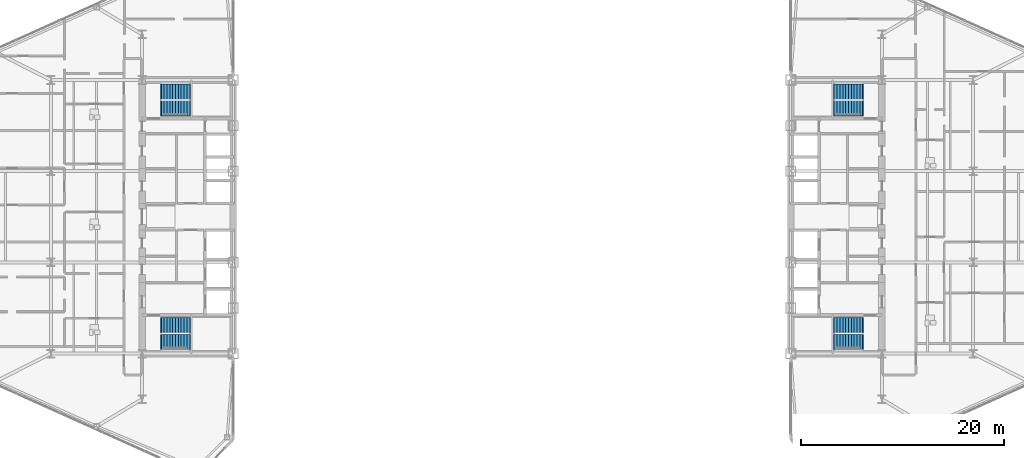
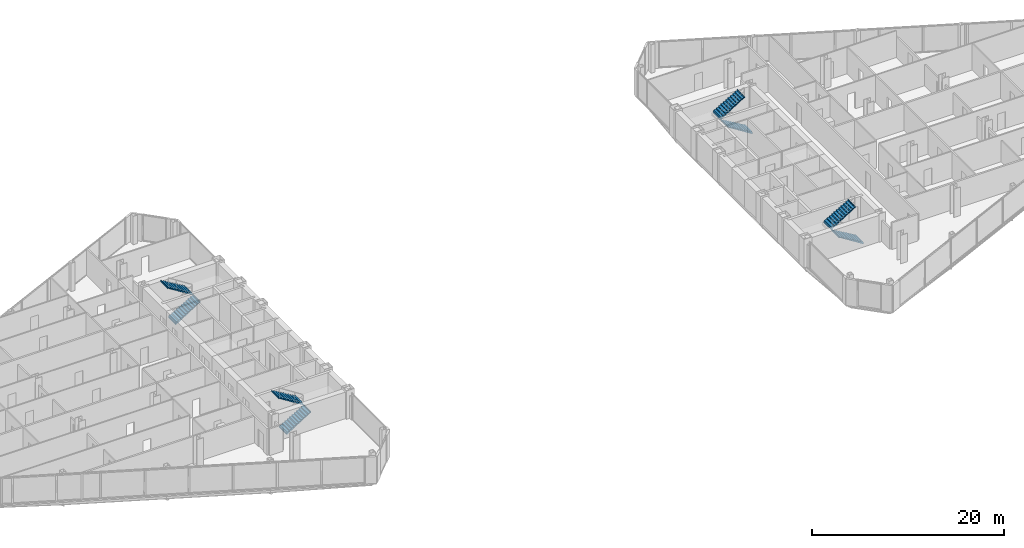
# One storey, part 25 of 27: 8 stair flights, 4 elements without a shape of their own.
"""IFC4 building model written with IfcOpenShell, lengths in metres."""

from ifc_helpers import new_model, si_unit, direction, frame, origin, place, context, subcontext, project, spatial, polyline, outline, extrude, material, type_object, element, aggregate, save


model = new_model("IFC4")

# Units and contexts
model_context = context("Model", 3, precision=1e-05, world=origin(), true_north=direction((0.0, 1.0)))
body_context = subcontext(model_context, "Body", "Model", "MODEL_VIEW")
ifc_project = project(units=[si_unit("LENGTHUNIT", "METRE"), si_unit("AREAUNIT", "SQUARE_METRE"), si_unit("VOLUMEUNIT", "CUBIC_METRE"), si_unit("PLANEANGLEUNIT", "RADIAN"), si_unit("MASSUNIT", "GRAM", prefix="KILO")], contexts=[model_context])

# Site, building, storey
site_placement = place(None, origin())
site = spatial("IfcSite", under=ifc_project, at=site_placement, CompositionType="ELEMENT")
building_placement = place(site_placement, origin())
building = spatial("IfcBuilding", under=site, at=building_placement, Name="Seokmaru Belvedere", CompositionType="ELEMENT")
storey_placement = place(building_placement, frame((0.0, 0.0, 96.0)))
storey = spatial("IfcBuildingStorey", under=building, at=storey_placement, Name="L25", CompositionType="ELEMENT", Elevation=96.0)

# Stair, stair flights
ifc_material = material(Name="Concrete C40 (40 MPa)", Category="concrete")
stair_type = type_object("IfcStairType", Name="Typical Tower Core Dog-Leg Stair 3600", PredefinedType="TWO_STRAIGHT_RUN_STAIR", material=ifc_material)
stair_1_placement = place(storey_placement, origin())
stair_1 = element("IfcStair", 1, at=stair_1_placement, inside=storey, type_object=stair_type, Name="L25 Special Escape Stair ST-W1", PredefinedType="TWO_STRAIGHT_RUN_STAIR")
stair_flight_type = type_object("IfcStairFlightType", Name="Reinforced Concrete Stair Flight 1500", PredefinedType="STRAIGHT", material=ifc_material)
stair_flight_1_placement = place(storey_placement, frame((-34.60009765625, -12.35009765625, 0.0), z_axis=(0.0, 0.0, 1.0), x_axis=(1.0, 0.0, 0.0)))
stair_flight_1 = element("IfcStairFlight", 2, at=stair_flight_1_placement, type_object=stair_flight_type, Name="ST-W1 flight 1", NumberOfRisers=11, NumberOfTreads=10, PredefinedType="STRAIGHT", RiserHeight=0.163636364, TreadLength=0.28, context=body_context, shape_type="SweptSolid", body=[
    extrude(outline(polyline([(-0.080078125, 0.0), (0.0, 0.16357421875), (0.280029296875, 0.16357421875), (0.280029296875, 0.327392578125), (0.56005859375, 0.327392578125), (0.56005859375, 0.490966796875), (0.840087890625, 0.490966796875), (0.840087890625, 0.654541015625), (1.1201171875, 0.654541015625), (1.1201171875, 0.818115234375), (1.39990234375, 0.818115234375), (1.39990234375, 0.98193359375), (1.679931640625, 0.98193359375), (1.679931640625, 1.1455078125), (1.9599609375, 1.1455078125), (1.9599609375, 1.30908203125), (2.239990234375, 1.30908203125), (2.239990234375, 1.47265625), (2.52001953125, 1.47265625), (2.52001953125, 1.636474609375), (2.800048828125, 1.636474609375), (2.800048828125, 1.800048828125), (2.8798828125, 1.800048828125), (2.8798828125, 1.610107421875), (2.800048828125, 1.610107421875), (0.0, -0.159912109375), (-0.080078125, -0.159912109375), (-0.080078125, 0.0)])), frame((0.0, 0.75, 0.0), z_axis=(0.0, -1.0, 0.0), x_axis=(1.0, 0.0, 0.0)), (0.0, 0.0, 1.0), 1.5),
])
stair_flight_2_placement = place(storey_placement, frame((-31.800048828125, -10.7099609375, 1.800048828125), z_axis=(0.0, 0.0, 1.0), x_axis=(-1.0, 0.0, 0.0)))
stair_flight_2 = element("IfcStairFlight", 3, at=stair_flight_2_placement, type_object=stair_flight_type, Name="ST-W1 flight 2", NumberOfRisers=11, NumberOfTreads=10, PredefinedType="STRAIGHT", RiserHeight=0.163636364, TreadLength=0.28, context=body_context, shape_type="SweptSolid", body=[
    extrude(outline(polyline([(-0.080078125, 0.0), (0.0, 0.16357421875), (0.280029296875, 0.16357421875), (0.280029296875, 0.327392578125), (0.56005859375, 0.327392578125), (0.56005859375, 0.490966796875), (0.840087890625, 0.490966796875), (0.840087890625, 0.654541015625), (1.1201171875, 0.654541015625), (1.1201171875, 0.818115234375), (1.39990234375, 0.818115234375), (1.39990234375, 0.98193359375), (1.679931640625, 0.98193359375), (1.679931640625, 1.1455078125), (1.9599609375, 1.1455078125), (1.9599609375, 1.30908203125), (2.239990234375, 1.30908203125), (2.239990234375, 1.47265625), (2.52001953125, 1.47265625), (2.52001953125, 1.636474609375), (2.800048828125, 1.636474609375), (2.800048828125, 1.800048828125), (2.8798828125, 1.800048828125), (2.8798828125, 1.610107421875), (2.800048828125, 1.610107421875), (0.0, -0.159912109375), (-0.080078125, -0.159912109375), (-0.080078125, 0.0)])), frame((0.0, 0.75, 0.0), z_axis=(0.0, -1.0, 0.0), x_axis=(1.0, 0.0, 0.0)), (0.0, 0.0, 1.0), 1.5),
])
aggregate(stair_1, [stair_flight_1, stair_flight_2])

stair_2_placement = place(storey_placement, origin())
stair_2 = element("IfcStair", 4, at=stair_2_placement, inside=storey, type_object=stair_type, Name="L25 Special Escape Stair ST-W2", PredefinedType="TWO_STRAIGHT_RUN_STAIR")
stair_flight_3_placement = place(storey_placement, frame((-34.60009765625, 10.7099609375, 0.0), z_axis=(0.0, 0.0, 1.0), x_axis=(1.0, 0.0, 0.0)))
stair_flight_3 = element("IfcStairFlight", 5, at=stair_flight_3_placement, type_object=stair_flight_type, Name="ST-W2 flight 1", NumberOfRisers=11, NumberOfTreads=10, PredefinedType="STRAIGHT", RiserHeight=0.163636364, TreadLength=0.28, context=body_context, shape_type="SweptSolid", body=[
    extrude(outline(polyline([(-0.080078125, 0.0), (0.0, 0.16357421875), (0.280029296875, 0.16357421875), (0.280029296875, 0.327392578125), (0.56005859375, 0.327392578125), (0.56005859375, 0.490966796875), (0.840087890625, 0.490966796875), (0.840087890625, 0.654541015625), (1.1201171875, 0.654541015625), (1.1201171875, 0.818115234375), (1.39990234375, 0.818115234375), (1.39990234375, 0.98193359375), (1.679931640625, 0.98193359375), (1.679931640625, 1.1455078125), (1.9599609375, 1.1455078125), (1.9599609375, 1.30908203125), (2.239990234375, 1.30908203125), (2.239990234375, 1.47265625), (2.52001953125, 1.47265625), (2.52001953125, 1.636474609375), (2.800048828125, 1.636474609375), (2.800048828125, 1.800048828125), (2.8798828125, 1.800048828125), (2.8798828125, 1.610107421875), (2.800048828125, 1.610107421875), (0.0, -0.159912109375), (-0.080078125, -0.159912109375), (-0.080078125, 0.0)])), frame((0.0, 0.75, 0.0), z_axis=(0.0, -1.0, 0.0), x_axis=(1.0, 0.0, 0.0)), (0.0, 0.0, 1.0), 1.5),
])
stair_flight_4_placement = place(storey_placement, frame((-31.800048828125, 12.35009765625, 1.800048828125), z_axis=(0.0, 0.0, 1.0), x_axis=(-1.0, 0.0, 0.0)))
stair_flight_4 = element("IfcStairFlight", 6, at=stair_flight_4_placement, type_object=stair_flight_type, Name="ST-W2 flight 2", NumberOfRisers=11, NumberOfTreads=10, PredefinedType="STRAIGHT", RiserHeight=0.163636364, TreadLength=0.28, context=body_context, shape_type="SweptSolid", body=[
    extrude(outline(polyline([(-0.080078125, 0.0), (0.0, 0.16357421875), (0.280029296875, 0.16357421875), (0.280029296875, 0.327392578125), (0.56005859375, 0.327392578125), (0.56005859375, 0.490966796875), (0.840087890625, 0.490966796875), (0.840087890625, 0.654541015625), (1.1201171875, 0.654541015625), (1.1201171875, 0.818115234375), (1.39990234375, 0.818115234375), (1.39990234375, 0.98193359375), (1.679931640625, 0.98193359375), (1.679931640625, 1.1455078125), (1.9599609375, 1.1455078125), (1.9599609375, 1.30908203125), (2.239990234375, 1.30908203125), (2.239990234375, 1.47265625), (2.52001953125, 1.47265625), (2.52001953125, 1.636474609375), (2.800048828125, 1.636474609375), (2.800048828125, 1.800048828125), (2.8798828125, 1.800048828125), (2.8798828125, 1.610107421875), (2.800048828125, 1.610107421875), (0.0, -0.159912109375), (-0.080078125, -0.159912109375), (-0.080078125, 0.0)])), frame((0.0, 0.75, 0.0), z_axis=(0.0, -1.0, 0.0), x_axis=(1.0, 0.0, 0.0)), (0.0, 0.0, 1.0), 1.5),
])
aggregate(stair_2, [stair_flight_3, stair_flight_4])

stair_3_placement = place(storey_placement, origin())
stair_3 = element("IfcStair", 7, at=stair_3_placement, inside=storey, type_object=stair_type, Name="L25 Special Escape Stair ST-E1", PredefinedType="TWO_STRAIGHT_RUN_STAIR")
stair_flight_5_placement = place(storey_placement, frame((34.60009765625, -12.35009765625, 0.0), z_axis=(0.0, 0.0, 1.0), x_axis=(-1.0, 0.0, 0.0)))
stair_flight_5 = element("IfcStairFlight", 8, at=stair_flight_5_placement, type_object=stair_flight_type, Name="ST-E1 flight 1", NumberOfRisers=11, NumberOfTreads=10, PredefinedType="STRAIGHT", RiserHeight=0.163636364, TreadLength=0.28, context=body_context, shape_type="SweptSolid", body=[
    extrude(outline(polyline([(-0.080078125, 0.0), (0.0, 0.16357421875), (0.280029296875, 0.16357421875), (0.280029296875, 0.327392578125), (0.56005859375, 0.327392578125), (0.56005859375, 0.490966796875), (0.840087890625, 0.490966796875), (0.840087890625, 0.654541015625), (1.1201171875, 0.654541015625), (1.1201171875, 0.818115234375), (1.39990234375, 0.818115234375), (1.39990234375, 0.98193359375), (1.679931640625, 0.98193359375), (1.679931640625, 1.1455078125), (1.9599609375, 1.1455078125), (1.9599609375, 1.30908203125), (2.239990234375, 1.30908203125), (2.239990234375, 1.47265625), (2.52001953125, 1.47265625), (2.52001953125, 1.636474609375), (2.800048828125, 1.636474609375), (2.800048828125, 1.800048828125), (2.8798828125, 1.800048828125), (2.8798828125, 1.610107421875), (2.800048828125, 1.610107421875), (0.0, -0.159912109375), (-0.080078125, -0.159912109375), (-0.080078125, 0.0)])), frame((0.0, 0.75, 0.0), z_axis=(0.0, -1.0, 0.0), x_axis=(1.0, 0.0, 0.0)), (0.0, 0.0, 1.0), 1.5),
])
stair_flight_6_placement = place(storey_placement, frame((31.800048828125, -10.7099609375, 1.800048828125), z_axis=(0.0, 0.0, 1.0), x_axis=(1.0, 0.0, 0.0)))
stair_flight_6 = element("IfcStairFlight", 9, at=stair_flight_6_placement, type_object=stair_flight_type, Name="ST-E1 flight 2", NumberOfRisers=11, NumberOfTreads=10, PredefinedType="STRAIGHT", RiserHeight=0.163636364, TreadLength=0.28, context=body_context, shape_type="SweptSolid", body=[
    extrude(outline(polyline([(-0.080078125, 0.0), (0.0, 0.16357421875), (0.280029296875, 0.16357421875), (0.280029296875, 0.327392578125), (0.56005859375, 0.327392578125), (0.56005859375, 0.490966796875), (0.840087890625, 0.490966796875), (0.840087890625, 0.654541015625), (1.1201171875, 0.654541015625), (1.1201171875, 0.818115234375), (1.39990234375, 0.818115234375), (1.39990234375, 0.98193359375), (1.679931640625, 0.98193359375), (1.679931640625, 1.1455078125), (1.9599609375, 1.1455078125), (1.9599609375, 1.30908203125), (2.239990234375, 1.30908203125), (2.239990234375, 1.47265625), (2.52001953125, 1.47265625), (2.52001953125, 1.636474609375), (2.800048828125, 1.636474609375), (2.800048828125, 1.800048828125), (2.8798828125, 1.800048828125), (2.8798828125, 1.610107421875), (2.800048828125, 1.610107421875), (0.0, -0.159912109375), (-0.080078125, -0.159912109375), (-0.080078125, 0.0)])), frame((0.0, 0.75, 0.0), z_axis=(0.0, -1.0, 0.0), x_axis=(1.0, 0.0, 0.0)), (0.0, 0.0, 1.0), 1.5),
])
aggregate(stair_3, [stair_flight_5, stair_flight_6])

stair_4_placement = place(storey_placement, origin())
stair_4 = element("IfcStair", 10, at=stair_4_placement, inside=storey, type_object=stair_type, Name="L25 Special Escape Stair ST-E2", PredefinedType="TWO_STRAIGHT_RUN_STAIR")
stair_flight_7_placement = place(storey_placement, frame((34.60009765625, 10.7099609375, 0.0), z_axis=(0.0, 0.0, 1.0), x_axis=(-1.0, 0.0, 0.0)))
stair_flight_7 = element("IfcStairFlight", 11, at=stair_flight_7_placement, type_object=stair_flight_type, Name="ST-E2 flight 1", NumberOfRisers=11, NumberOfTreads=10, PredefinedType="STRAIGHT", RiserHeight=0.163636364, TreadLength=0.28, context=body_context, shape_type="SweptSolid", body=[
    extrude(outline(polyline([(-0.080078125, 0.0), (0.0, 0.16357421875), (0.280029296875, 0.16357421875), (0.280029296875, 0.327392578125), (0.56005859375, 0.327392578125), (0.56005859375, 0.490966796875), (0.840087890625, 0.490966796875), (0.840087890625, 0.654541015625), (1.1201171875, 0.654541015625), (1.1201171875, 0.818115234375), (1.39990234375, 0.818115234375), (1.39990234375, 0.98193359375), (1.679931640625, 0.98193359375), (1.679931640625, 1.1455078125), (1.9599609375, 1.1455078125), (1.9599609375, 1.30908203125), (2.239990234375, 1.30908203125), (2.239990234375, 1.47265625), (2.52001953125, 1.47265625), (2.52001953125, 1.636474609375), (2.800048828125, 1.636474609375), (2.800048828125, 1.800048828125), (2.8798828125, 1.800048828125), (2.8798828125, 1.610107421875), (2.800048828125, 1.610107421875), (0.0, -0.159912109375), (-0.080078125, -0.159912109375), (-0.080078125, 0.0)])), frame((0.0, 0.75, 0.0), z_axis=(0.0, -1.0, 0.0), x_axis=(1.0, 0.0, 0.0)), (0.0, 0.0, 1.0), 1.5),
])
stair_flight_8_placement = place(storey_placement, frame((31.800048828125, 12.35009765625, 1.800048828125), z_axis=(0.0, 0.0, 1.0), x_axis=(1.0, 0.0, 0.0)))
stair_flight_8 = element("IfcStairFlight", 12, at=stair_flight_8_placement, type_object=stair_flight_type, Name="ST-E2 flight 2", NumberOfRisers=11, NumberOfTreads=10, PredefinedType="STRAIGHT", RiserHeight=0.163636364, TreadLength=0.28, context=body_context, shape_type="SweptSolid", body=[
    extrude(outline(polyline([(-0.080078125, 0.0), (0.0, 0.16357421875), (0.280029296875, 0.16357421875), (0.280029296875, 0.327392578125), (0.56005859375, 0.327392578125), (0.56005859375, 0.490966796875), (0.840087890625, 0.490966796875), (0.840087890625, 0.654541015625), (1.1201171875, 0.654541015625), (1.1201171875, 0.818115234375), (1.39990234375, 0.818115234375), (1.39990234375, 0.98193359375), (1.679931640625, 0.98193359375), (1.679931640625, 1.1455078125), (1.9599609375, 1.1455078125), (1.9599609375, 1.30908203125), (2.239990234375, 1.30908203125), (2.239990234375, 1.47265625), (2.52001953125, 1.47265625), (2.52001953125, 1.636474609375), (2.800048828125, 1.636474609375), (2.800048828125, 1.800048828125), (2.8798828125, 1.800048828125), (2.8798828125, 1.610107421875), (2.800048828125, 1.610107421875), (0.0, -0.159912109375), (-0.080078125, -0.159912109375), (-0.080078125, 0.0)])), frame((0.0, 0.75, 0.0), z_axis=(0.0, -1.0, 0.0), x_axis=(1.0, 0.0, 0.0)), (0.0, 0.0, 1.0), 1.5),
])
aggregate(stair_4, [stair_flight_7, stair_flight_8])

save(model, "model.ifc")
